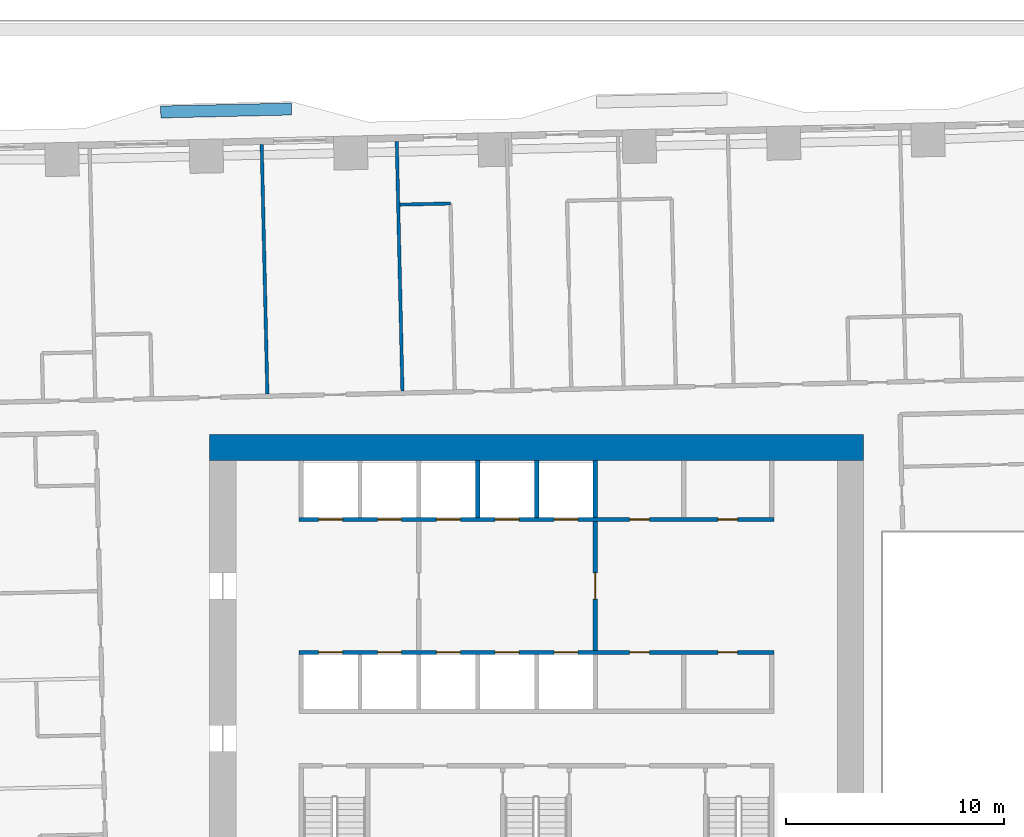
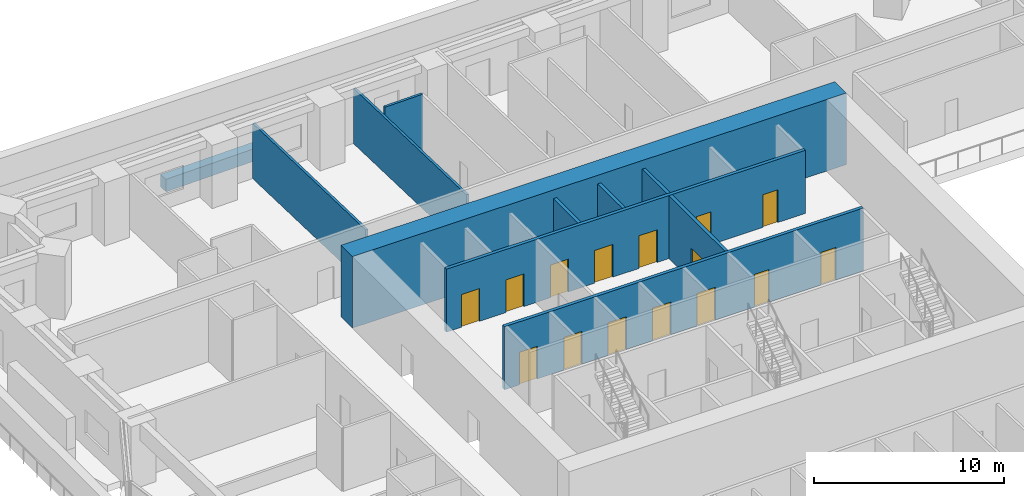
# One storey, part 14 of 21: 15 doors, 11 walls, 15 openings.
"""IFC4 building model written with IfcOpenShell, lengths in metres."""

from ifc_helpers import new_model, si_unit, direction, frame, frame_2d, origin, place, context, subcontext, project, spatial, rectangle, extrude, material, layer, layer_set, type_object, element, fill, save


model = new_model("IFC4")

# Units and contexts
model_context = context("Model", 3, precision=1e-05, world=origin(), true_north=direction((0.0, 1.0)))
body_context = subcontext(model_context, "Body", "Model", "MODEL_VIEW")
ifc_project = project(units=[si_unit("LENGTHUNIT", "METRE"), si_unit("AREAUNIT", "SQUARE_METRE"), si_unit("VOLUMEUNIT", "CUBIC_METRE"), si_unit("PLANEANGLEUNIT", "RADIAN"), si_unit("MASSUNIT", "GRAM", prefix="KILO")], contexts=[model_context])

# Site, building, storey
site_placement = place(None, origin())
site = spatial("IfcSite", under=ifc_project, at=site_placement, CompositionType="ELEMENT")
building_placement = place(site_placement, origin())
building = spatial("IfcBuilding", under=site, at=building_placement, Name="Mangrove Gate Tower", CompositionType="ELEMENT")
storey_placement = place(building_placement, frame((0.0, 0.0, 29.5)))
storey = spatial("IfcBuildingStorey", under=building, at=storey_placement, Name="L06", CompositionType="ELEMENT", Elevation=29.5)

# Wall, opening, door
ifc_material_1 = material(Name="Concrete C32/40", Category="concrete")
ifc_layer_1 = layer(ifc_material_1, 0.199951171875)
ifc_layer_set_1 = layer_set([ifc_layer_1], Name="Core lobby wall 200 C32/40")
wall_type_1 = type_object("IfcWallType", Name="Core lobby wall 200 C32/40", PredefinedType="STANDARD", material=ifc_layer_set_1)
wall_1_placement = place(storey_placement, frame((2.699951171875, 2.10009765625, 0.0), z_axis=(0.0, 0.0, 1.0), x_axis=(0.0, 1.0, 0.0)))
wall_1 = element("IfcWall", 1, at=wall_1_placement, inside=storey, type_object=wall_type_1, Name="WALL-L06-CORE-36", PredefinedType="STANDARD", context=body_context, shape_type="SweptSolid", body=[
    extrude(rectangle(XDim=5.89990234375, YDim=0.199951171875, at=frame_2d((2.949951171875, 0.0))), origin(), (0.0, 0.0, 1.0), 4.050048828125),
])
opening_1_placement = place(wall_1_placement, frame((2.35009765625, 0.0, 0.0)))
opening_1 = element("IfcOpeningElement", 2, at=opening_1_placement, cuts=wall_1, Name="Opening FL12", PredefinedType="OPENING", context=body_context, shape_type="SweptSolid", body=[
    extrude(rectangle(XDim=1.199951171875, YDim=2.10009765625, at=frame_2d((0.60009765625, 1.050048828125))), frame((0.0, 0.10986328125, 0.0), z_axis=(0.0, -1.0, 0.0), x_axis=(1.0, 0.0, 0.0)), (0.0, 0.0, 1.0), 0.219970703125),
])
ifc_material_2 = material(Name="Fire-rated steel door set", Category="steel")
door_type_1 = type_object("IfcDoorType", Name="Lobby door FD60 1200x2100", OperationType="SINGLE_SWING_LEFT", PredefinedType="DOOR", material=ifc_material_2)
door_1_placement = place(opening_1_placement, origin())
door_1 = element("IfcDoor", 3, at=door_1_placement, inside=storey, type_object=door_type_1, Name="Lobby door lift lobby partition", OperationType="SINGLE_SWING_LEFT", OverallHeight=2.10009765625, OverallWidth=1.199951171875, PredefinedType="DOOR", context=body_context, shape_type="SweptSolid", body=[
    extrude(rectangle(XDim=1.199951171875, YDim=2.10009765625, at=frame_2d((0.60009765625, 1.050048828125))), frame((0.0, 0.02490234375, 0.0), z_axis=(0.0, -1.0, 0.0), x_axis=(1.0, 0.0, 0.0)), (0.0, 0.0, 1.0), 0.050048828125),
])
fill(opening_1, door_1)

# Wall, openings, doors
ifc_material_3 = material(Name="Concrete C70/85", Category="concrete")
ifc_layer_2 = layer(ifc_material_3, 0.199951171875)
ifc_layer_set_2 = layer_set([ifc_layer_2], Name="Core shaft wall 200 C70/85")
wall_type_2 = type_object("IfcWallType", Name="Core shaft wall 200 C70/85", PredefinedType="SHEAR", material=ifc_layer_set_2)
wall_2_placement = place(storey_placement, frame((-10.89990234375, 2.0, 0.0), z_axis=(0.0, 0.0, 1.0), x_axis=(1.0, 0.0, 0.0)))
wall_2 = element("IfcWall", 4, at=wall_2_placement, inside=storey, type_object=wall_type_2, Name="WALL-L06-CORE-7", PredefinedType="SHEAR", context=body_context, shape_type="SweptSolid", body=[
    extrude(rectangle(XDim=21.7998046875, YDim=0.199951171875, at=frame_2d((10.89990234375, 0.0))), origin(), (0.0, 0.0, 1.0), 4.050048828125),
])
opening_2_placement = place(wall_2_placement, frame((0.89990234375, 0.0, 0.0)))
opening_2 = element("IfcOpeningElement", 5, at=opening_2_placement, cuts=wall_2, Name="Opening LD", PredefinedType="OPENING", context=body_context, shape_type="SweptSolid", body=[
    extrude(rectangle(XDim=1.10009765625, YDim=2.10009765625, at=frame_2d((0.550048828125, 1.050048828125))), frame((0.0, 0.10986328125, 0.0), z_axis=(0.0, -1.0, 0.0), x_axis=(1.0, 0.0, 0.0)), (0.0, 0.0, 1.0), 0.219970703125),
])
opening_3_placement = place(wall_2_placement, frame((3.60009765625, 0.0, 0.0)))
opening_3 = element("IfcOpeningElement", 6, at=opening_3_placement, cuts=wall_2, Name="Opening LD", PredefinedType="OPENING", context=body_context, shape_type="SweptSolid", body=[
    extrude(rectangle(XDim=1.10009765625, YDim=2.10009765625, at=frame_2d((0.550048828125, 1.050048828125))), frame((0.0, 0.10986328125, 0.0), z_axis=(0.0, -1.0, 0.0), x_axis=(1.0, 0.0, 0.0)), (0.0, 0.0, 1.0), 0.219970703125),
])
opening_4_placement = place(wall_2_placement, frame((6.300048828125, 0.0, 0.0)))
opening_4 = element("IfcOpeningElement", 7, at=opening_4_placement, cuts=wall_2, Name="Opening LD", PredefinedType="OPENING", context=body_context, shape_type="SweptSolid", body=[
    extrude(rectangle(XDim=1.10009765625, YDim=2.10009765625, at=frame_2d((0.550048828125, 1.050048828125))), frame((0.0, 0.10986328125, 0.0), z_axis=(0.0, -1.0, 0.0), x_axis=(1.0, 0.0, 0.0)), (0.0, 0.0, 1.0), 0.219970703125),
])
opening_5_placement = place(wall_2_placement, frame((9.0, 0.0, 0.0)))
opening_5 = element("IfcOpeningElement", 8, at=opening_5_placement, cuts=wall_2, Name="Opening LD", PredefinedType="OPENING", context=body_context, shape_type="SweptSolid", body=[
    extrude(rectangle(XDim=1.10009765625, YDim=2.10009765625, at=frame_2d((0.550048828125, 1.050048828125))), frame((0.0, 0.10986328125, 0.0), z_axis=(0.0, -1.0, 0.0), x_axis=(1.0, 0.0, 0.0)), (0.0, 0.0, 1.0), 0.219970703125),
])
opening_6_placement = place(wall_2_placement, frame((11.699951171875, 0.0, 0.0)))
opening_6 = element("IfcOpeningElement", 9, at=opening_6_placement, cuts=wall_2, Name="Opening LD", PredefinedType="OPENING", context=body_context, shape_type="SweptSolid", body=[
    extrude(rectangle(XDim=1.10009765625, YDim=2.10009765625, at=frame_2d((0.550048828125, 1.050048828125))), frame((0.0, 0.10986328125, 0.0), z_axis=(0.0, -1.0, 0.0), x_axis=(1.0, 0.0, 0.0)), (0.0, 0.0, 1.0), 0.219970703125),
])
opening_7_placement = place(wall_2_placement, frame((15.175048828125, 0.0, 0.0)))
opening_7 = element("IfcOpeningElement", 10, at=opening_7_placement, cuts=wall_2, Name="Opening RD", PredefinedType="OPENING", context=body_context, shape_type="SweptSolid", body=[
    extrude(rectangle(XDim=0.89990234375, YDim=2.10009765625, at=frame_2d((0.449951171875, 1.050048828125))), frame((0.0, 0.10986328125, 0.0), z_axis=(0.0, -1.0, 0.0), x_axis=(1.0, 0.0, 0.0)), (0.0, 0.0, 1.0), 0.219970703125),
])
opening_8_placement = place(wall_2_placement, frame((19.22509765625, 0.0, 0.0)))
opening_8 = element("IfcOpeningElement", 11, at=opening_8_placement, cuts=wall_2, Name="Opening RD", PredefinedType="OPENING", context=body_context, shape_type="SweptSolid", body=[
    extrude(rectangle(XDim=0.89990234375, YDim=2.10009765625, at=frame_2d((0.449951171875, 1.050048828125))), frame((0.0, 0.10986328125, 0.0), z_axis=(0.0, -1.0, 0.0), x_axis=(1.0, 0.0, 0.0)), (0.0, 0.0, 1.0), 0.219970703125),
])
ifc_material_4 = material(Name="Stainless steel 316", Category="steel")
door_type_2 = type_object("IfcDoorType", Name="Lift landing door 1100x2100", OperationType="SLIDING_TO_LEFT", PredefinedType="DOOR", material=ifc_material_4)
door_2_placement = place(opening_2_placement, origin())
door_2 = element("IfcDoor", 12, at=door_2_placement, inside=storey, type_object=door_type_2, Name="Landing door LD P01", OperationType="SLIDING_TO_LEFT", OverallHeight=2.10009765625, OverallWidth=1.10009765625, PredefinedType="DOOR", context=body_context, shape_type="SweptSolid", body=[
    extrude(rectangle(XDim=1.10009765625, YDim=2.10009765625, at=frame_2d((0.550048828125, 1.050048828125))), frame((0.0, 0.02490234375, 0.0), z_axis=(0.0, -1.0, 0.0), x_axis=(1.0, 0.0, 0.0)), (0.0, 0.0, 1.0), 0.050048828125),
])
fill(opening_2, door_2)
door_3_placement = place(opening_3_placement, origin())
door_3 = element("IfcDoor", 13, at=door_3_placement, inside=storey, type_object=door_type_2, Name="Landing door LD P02", OperationType="SLIDING_TO_LEFT", OverallHeight=2.10009765625, OverallWidth=1.10009765625, PredefinedType="DOOR", context=body_context, shape_type="SweptSolid", body=[
    extrude(rectangle(XDim=1.10009765625, YDim=2.10009765625, at=frame_2d((0.550048828125, 1.050048828125))), frame((0.0, 0.02490234375, 0.0), z_axis=(0.0, -1.0, 0.0), x_axis=(1.0, 0.0, 0.0)), (0.0, 0.0, 1.0), 0.050048828125),
])
fill(opening_3, door_3)
door_4_placement = place(opening_4_placement, origin())
door_4 = element("IfcDoor", 14, at=door_4_placement, inside=storey, type_object=door_type_2, Name="Landing door LD P03", OperationType="SLIDING_TO_LEFT", OverallHeight=2.10009765625, OverallWidth=1.10009765625, PredefinedType="DOOR", context=body_context, shape_type="SweptSolid", body=[
    extrude(rectangle(XDim=1.10009765625, YDim=2.10009765625, at=frame_2d((0.550048828125, 1.050048828125))), frame((0.0, 0.02490234375, 0.0), z_axis=(0.0, -1.0, 0.0), x_axis=(1.0, 0.0, 0.0)), (0.0, 0.0, 1.0), 0.050048828125),
])
fill(opening_4, door_4)
door_5_placement = place(opening_5_placement, origin())
door_5 = element("IfcDoor", 15, at=door_5_placement, inside=storey, type_object=door_type_2, Name="Landing door LD P04", OperationType="SLIDING_TO_LEFT", OverallHeight=2.10009765625, OverallWidth=1.10009765625, PredefinedType="DOOR", context=body_context, shape_type="SweptSolid", body=[
    extrude(rectangle(XDim=1.10009765625, YDim=2.10009765625, at=frame_2d((0.550048828125, 1.050048828125))), frame((0.0, 0.02490234375, 0.0), z_axis=(0.0, -1.0, 0.0), x_axis=(1.0, 0.0, 0.0)), (0.0, 0.0, 1.0), 0.050048828125),
])
fill(opening_5, door_5)
door_6_placement = place(opening_6_placement, origin())
door_6 = element("IfcDoor", 16, at=door_6_placement, inside=storey, type_object=door_type_2, Name="Landing door LD P05", OperationType="SLIDING_TO_LEFT", OverallHeight=2.10009765625, OverallWidth=1.10009765625, PredefinedType="DOOR", context=body_context, shape_type="SweptSolid", body=[
    extrude(rectangle(XDim=1.10009765625, YDim=2.10009765625, at=frame_2d((0.550048828125, 1.050048828125))), frame((0.0, 0.02490234375, 0.0), z_axis=(0.0, -1.0, 0.0), x_axis=(1.0, 0.0, 0.0)), (0.0, 0.0, 1.0), 0.050048828125),
])
fill(opening_6, door_6)
ifc_material_5 = material(Name="Fire-rated steel door set", Category="steel")
door_type_3 = type_object("IfcDoorType", Name="Riser door FD30S 900x2100", OperationType="SINGLE_SWING_LEFT", PredefinedType="DOOR", material=ifc_material_5)
door_7_placement = place(opening_7_placement, origin())
door_7 = element("IfcDoor", 17, at=door_7_placement, inside=storey, type_object=door_type_3, Name="Riser door Switch room", OperationType="SINGLE_SWING_LEFT", OverallHeight=2.10009765625, OverallWidth=0.89990234375, PredefinedType="DOOR", context=body_context, shape_type="SweptSolid", body=[
    extrude(rectangle(XDim=0.89990234375, YDim=2.10009765625, at=frame_2d((0.449951171875, 1.050048828125))), frame((0.0, 0.02490234375, 0.0), z_axis=(0.0, -1.0, 0.0), x_axis=(1.0, 0.0, 0.0)), (0.0, 0.0, 1.0), 0.050048828125),
])
fill(opening_7, door_7)
door_8_placement = place(opening_8_placement, origin())
door_8 = element("IfcDoor", 18, at=door_8_placement, inside=storey, type_object=door_type_3, Name="Riser door Comms room", OperationType="SINGLE_SWING_LEFT", OverallHeight=2.10009765625, OverallWidth=0.89990234375, PredefinedType="DOOR", context=body_context, shape_type="SweptSolid", body=[
    extrude(rectangle(XDim=0.89990234375, YDim=2.10009765625, at=frame_2d((0.449951171875, 1.050048828125))), frame((0.0, 0.02490234375, 0.0), z_axis=(0.0, -1.0, 0.0), x_axis=(1.0, 0.0, 0.0)), (0.0, 0.0, 1.0), 0.050048828125),
])
fill(opening_8, door_8)

wall_3_placement = place(storey_placement, frame((-10.89990234375, 8.10009765625, 0.0), z_axis=(0.0, 0.0, 1.0), x_axis=(1.0, 0.0, 0.0)))
wall_3 = element("IfcWall", 19, at=wall_3_placement, inside=storey, type_object=wall_type_2, Name="WALL-L06-CORE-8", PredefinedType="SHEAR", context=body_context, shape_type="SweptSolid", body=[
    extrude(rectangle(XDim=21.7998046875, YDim=0.199951171875, at=frame_2d((10.89990234375, 0.0))), origin(), (0.0, 0.0, 1.0), 4.050048828125),
])
opening_9_placement = place(wall_3_placement, frame((0.89990234375, 0.0, 0.0)))
opening_9 = element("IfcOpeningElement", 20, at=opening_9_placement, cuts=wall_3, Name="Opening LD", PredefinedType="OPENING", context=body_context, shape_type="SweptSolid", body=[
    extrude(rectangle(XDim=1.10009765625, YDim=2.10009765625, at=frame_2d((0.550048828125, 1.050048828125))), frame((0.0, 0.10986328125, 0.0), z_axis=(0.0, -1.0, 0.0), x_axis=(1.0, 0.0, 0.0)), (0.0, 0.0, 1.0), 0.219970703125),
])
opening_10_placement = place(wall_3_placement, frame((3.60009765625, 0.0, 0.0)))
opening_10 = element("IfcOpeningElement", 21, at=opening_10_placement, cuts=wall_3, Name="Opening LD", PredefinedType="OPENING", context=body_context, shape_type="SweptSolid", body=[
    extrude(rectangle(XDim=1.10009765625, YDim=2.10009765625, at=frame_2d((0.550048828125, 1.050048828125))), frame((0.0, 0.10986328125, 0.0), z_axis=(0.0, -1.0, 0.0), x_axis=(1.0, 0.0, 0.0)), (0.0, 0.0, 1.0), 0.219970703125),
])
opening_11_placement = place(wall_3_placement, frame((6.300048828125, 0.0, 0.0)))
opening_11 = element("IfcOpeningElement", 22, at=opening_11_placement, cuts=wall_3, Name="Opening LD", PredefinedType="OPENING", context=body_context, shape_type="SweptSolid", body=[
    extrude(rectangle(XDim=1.10009765625, YDim=2.10009765625, at=frame_2d((0.550048828125, 1.050048828125))), frame((0.0, 0.10986328125, 0.0), z_axis=(0.0, -1.0, 0.0), x_axis=(1.0, 0.0, 0.0)), (0.0, 0.0, 1.0), 0.219970703125),
])
opening_12_placement = place(wall_3_placement, frame((9.0, 0.0, 0.0)))
opening_12 = element("IfcOpeningElement", 23, at=opening_12_placement, cuts=wall_3, Name="Opening LD", PredefinedType="OPENING", context=body_context, shape_type="SweptSolid", body=[
    extrude(rectangle(XDim=1.10009765625, YDim=2.10009765625, at=frame_2d((0.550048828125, 1.050048828125))), frame((0.0, 0.10986328125, 0.0), z_axis=(0.0, -1.0, 0.0), x_axis=(1.0, 0.0, 0.0)), (0.0, 0.0, 1.0), 0.219970703125),
])
opening_13_placement = place(wall_3_placement, frame((11.699951171875, 0.0, 0.0)))
opening_13 = element("IfcOpeningElement", 24, at=opening_13_placement, cuts=wall_3, Name="Opening LD", PredefinedType="OPENING", context=body_context, shape_type="SweptSolid", body=[
    extrude(rectangle(XDim=1.10009765625, YDim=2.10009765625, at=frame_2d((0.550048828125, 1.050048828125))), frame((0.0, 0.10986328125, 0.0), z_axis=(0.0, -1.0, 0.0), x_axis=(1.0, 0.0, 0.0)), (0.0, 0.0, 1.0), 0.219970703125),
])
opening_14_placement = place(wall_3_placement, frame((15.175048828125, 0.0, 0.0)))
opening_14 = element("IfcOpeningElement", 25, at=opening_14_placement, cuts=wall_3, Name="Opening KD", PredefinedType="OPENING", context=body_context, shape_type="SweptSolid", body=[
    extrude(rectangle(XDim=0.89990234375, YDim=2.10009765625, at=frame_2d((0.449951171875, 1.050048828125))), frame((0.0, 0.10986328125, 0.0), z_axis=(0.0, -1.0, 0.0), x_axis=(1.0, 0.0, 0.0)), (0.0, 0.0, 1.0), 0.219970703125),
])
opening_15_placement = place(wall_3_placement, frame((19.22509765625, 0.0, 0.0)))
opening_15 = element("IfcOpeningElement", 26, at=opening_15_placement, cuts=wall_3, Name="Opening KD", PredefinedType="OPENING", context=body_context, shape_type="SweptSolid", body=[
    extrude(rectangle(XDim=0.89990234375, YDim=2.10009765625, at=frame_2d((0.449951171875, 1.050048828125))), frame((0.0, 0.10986328125, 0.0), z_axis=(0.0, -1.0, 0.0), x_axis=(1.0, 0.0, 0.0)), (0.0, 0.0, 1.0), 0.219970703125),
])
ifc_material_6 = material(Name="Fire-rated steel door set", Category="steel")
door_type_4 = type_object("IfcDoorType", Name="Core room door FD30S 900x2100", OperationType="SINGLE_SWING_RIGHT", PredefinedType="DOOR", material=ifc_material_6)
door_9_placement = place(opening_14_placement, origin())
door_9 = element("IfcDoor", 27, at=door_9_placement, inside=storey, type_object=door_type_4, Name="Core room door Core WC", OperationType="SINGLE_SWING_RIGHT", OverallHeight=2.10009765625, OverallWidth=0.89990234375, PredefinedType="DOOR", context=body_context, shape_type="SweptSolid", body=[
    extrude(rectangle(XDim=0.89990234375, YDim=2.10009765625, at=frame_2d((0.449951171875, 1.050048828125))), frame((0.0, 0.02490234375, 0.0), z_axis=(0.0, -1.0, 0.0), x_axis=(1.0, 0.0, 0.0)), (0.0, 0.0, 1.0), 0.050048828125),
])
fill(opening_14, door_9)
door_10_placement = place(opening_15_placement, origin())
door_10 = element("IfcDoor", 28, at=door_10_placement, inside=storey, type_object=door_type_4, Name="Core room door Pantry store", OperationType="SINGLE_SWING_RIGHT", OverallHeight=2.10009765625, OverallWidth=0.89990234375, PredefinedType="DOOR", context=body_context, shape_type="SweptSolid", body=[
    extrude(rectangle(XDim=0.89990234375, YDim=2.10009765625, at=frame_2d((0.449951171875, 1.050048828125))), frame((0.0, 0.02490234375, 0.0), z_axis=(0.0, -1.0, 0.0), x_axis=(1.0, 0.0, 0.0)), (0.0, 0.0, 1.0), 0.050048828125),
])
fill(opening_15, door_10)
door_11_placement = place(opening_9_placement, origin())
door_11 = element("IfcDoor", 29, at=door_11_placement, inside=storey, type_object=door_type_2, Name="Landing door LD P06", OperationType="SLIDING_TO_LEFT", OverallHeight=2.10009765625, OverallWidth=1.10009765625, PredefinedType="DOOR", context=body_context, shape_type="SweptSolid", body=[
    extrude(rectangle(XDim=1.10009765625, YDim=2.10009765625, at=frame_2d((0.550048828125, 1.050048828125))), frame((0.0, 0.02490234375, 0.0), z_axis=(0.0, -1.0, 0.0), x_axis=(1.0, 0.0, 0.0)), (0.0, 0.0, 1.0), 0.050048828125),
])
fill(opening_9, door_11)
door_12_placement = place(opening_10_placement, origin())
door_12 = element("IfcDoor", 30, at=door_12_placement, inside=storey, type_object=door_type_2, Name="Landing door LD P07", OperationType="SLIDING_TO_LEFT", OverallHeight=2.10009765625, OverallWidth=1.10009765625, PredefinedType="DOOR", context=body_context, shape_type="SweptSolid", body=[
    extrude(rectangle(XDim=1.10009765625, YDim=2.10009765625, at=frame_2d((0.550048828125, 1.050048828125))), frame((0.0, 0.02490234375, 0.0), z_axis=(0.0, -1.0, 0.0), x_axis=(1.0, 0.0, 0.0)), (0.0, 0.0, 1.0), 0.050048828125),
])
fill(opening_10, door_12)
door_13_placement = place(opening_11_placement, origin())
door_13 = element("IfcDoor", 31, at=door_13_placement, inside=storey, type_object=door_type_2, Name="Landing door LD P08", OperationType="SLIDING_TO_LEFT", OverallHeight=2.10009765625, OverallWidth=1.10009765625, PredefinedType="DOOR", context=body_context, shape_type="SweptSolid", body=[
    extrude(rectangle(XDim=1.10009765625, YDim=2.10009765625, at=frame_2d((0.550048828125, 1.050048828125))), frame((0.0, 0.02490234375, 0.0), z_axis=(0.0, -1.0, 0.0), x_axis=(1.0, 0.0, 0.0)), (0.0, 0.0, 1.0), 0.050048828125),
])
fill(opening_11, door_13)
door_14_placement = place(opening_12_placement, origin())
door_14 = element("IfcDoor", 32, at=door_14_placement, inside=storey, type_object=door_type_2, Name="Landing door LD P09", OperationType="SLIDING_TO_LEFT", OverallHeight=2.10009765625, OverallWidth=1.10009765625, PredefinedType="DOOR", context=body_context, shape_type="SweptSolid", body=[
    extrude(rectangle(XDim=1.10009765625, YDim=2.10009765625, at=frame_2d((0.550048828125, 1.050048828125))), frame((0.0, 0.02490234375, 0.0), z_axis=(0.0, -1.0, 0.0), x_axis=(1.0, 0.0, 0.0)), (0.0, 0.0, 1.0), 0.050048828125),
])
fill(opening_12, door_14)
door_15_placement = place(opening_13_placement, origin())
door_15 = element("IfcDoor", 33, at=door_15_placement, inside=storey, type_object=door_type_2, Name="Landing door LD P10", OperationType="SLIDING_TO_LEFT", OverallHeight=2.10009765625, OverallWidth=1.10009765625, PredefinedType="DOOR", context=body_context, shape_type="SweptSolid", body=[
    extrude(rectangle(XDim=1.10009765625, YDim=2.10009765625, at=frame_2d((0.550048828125, 1.050048828125))), frame((0.0, 0.02490234375, 0.0), z_axis=(0.0, -1.0, 0.0), x_axis=(1.0, 0.0, 0.0)), (0.0, 0.0, 1.0), 0.050048828125),
])
fill(opening_13, door_15)

# Walls
for number, where, z_axis, x_axis, name in (
    (34, (-2.699951171875, 8.199951171875, 0.0), (0.0, 0.0, 1.0), (0.0, 1.0, 0.0), "WALL-L06-CORE-30"),
    (35, (0.0, 8.199951171875, 0.0), (0.0, 0.0, 1.0), (0.0, 1.0, 0.0), "WALL-L06-CORE-31"),
    (36, (2.699951171875, 8.199951171875, 0.0), (0.0, 0.0, 1.0), (0.0, 1.0, 0.0), "WALL-L06-CORE-32"),
):
    element("IfcWall", number, at=place(storey_placement, frame(where, z_axis=z_axis, x_axis=x_axis)), inside=storey, type_object=wall_type_2, Name=name, PredefinedType="SHEAR", context=body_context, shape_type="SweptSolid", body=[
        extrude(rectangle(XDim=2.60009765625, YDim=0.199951171875, at=frame_2d((1.300048828125, 0.0))), origin(), (0.0, 0.0, 1.0), 4.050048828125),
    ])
ifc_material_7 = material(Name="Concrete C70/85", Category="concrete")
ifc_layer_3 = layer(ifc_material_7, 1.199951171875)
ifc_layer_set_3 = layer_set([ifc_layer_3], Name="Core wall 1200 C70/85")
wall_type_3 = type_object("IfcWallType", Name="Core wall 1200 C70/85", PredefinedType="SHEAR", material=ifc_layer_set_3)
wall_4_placement = place(storey_placement, frame((-15.0, 11.39990234375, 0.0), z_axis=(0.0, 0.0, 1.0), x_axis=(1.0, 0.0, 0.0)))
element("IfcWall", 37, at=wall_4_placement, inside=storey, type_object=wall_type_3, Name="WALL-L06-CORE-2", PredefinedType="SHEAR", context=body_context, shape_type="SweptSolid", body=[
    extrude(rectangle(XDim=30.0, YDim=1.199951171875, at=frame_2d((15.0, 0.0))), origin(), (0.0, 0.0, 1.0), 4.60009765625),
])
ifc_material_8 = material(Name="Gypsum board on steel stud, EI 60", Category="steel")
ifc_layer_4 = layer(ifc_material_8, 0.14990234375)
ifc_layer_set_4 = layer_set([ifc_layer_4], Name="Party wall 150 EI 60")
wall_type_4 = type_object("IfcWallType", Name="Party wall 150 EI 60", PredefinedType="PARTITIONING", material=ifc_layer_set_4)
wall_5_placement = place(storey_placement, frame((-12.35498046875, 13.860107421875, 0.0), z_axis=(0.0, 0.0, 1.0), x_axis=(-0.022623564427, 0.999744054412, 0.0)))
element("IfcWall", 38, at=wall_5_placement, inside=storey, type_object=wall_type_4, Name="WALL-L06-052", PredefinedType="PARTITIONING", context=body_context, shape_type="SweptSolid", body=[
    extrude(rectangle(XDim=11.44970703125, YDim=0.14990234375, at=frame_2d((5.724853515625, 0.0))), origin(), (0.0, 0.0, 1.0), 3.550048828125),
])
wall_6_placement = place(storey_placement, frame((-6.156005859375, 14.0009765625, 0.0), z_axis=(0.0, 0.0, 1.0), x_axis=(-0.022708327922, 0.999742132674, 0.0)))
element("IfcWall", 39, at=wall_6_placement, inside=storey, type_object=wall_type_4, Name="WALL-L06-053", PredefinedType="PARTITIONING", context=body_context, shape_type="SweptSolid", body=[
    extrude(rectangle(XDim=11.449951171875, YDim=0.14990234375, at=frame_2d((5.72509765625, 0.0))), origin(), (0.0, 0.0, 1.0), 3.550048828125),
])
wall_7_placement = place(storey_placement, frame((-6.27490234375, 22.550048828125, 0.0), z_axis=(0.0, 0.0, 1.0), x_axis=(0.999740260747, 0.02279059109, 0.0)))
element("IfcWall", 40, at=wall_7_placement, inside=storey, type_object=wall_type_4, Name="WALL-L06-066", PredefinedType="PARTITIONING", context=body_context, shape_type="SweptSolid", body=[
    extrude(rectangle(XDim=2.324462890625, YDim=0.14990234375, at=frame_2d((1.162109375, 0.0))), origin(), (0.0, 0.0, 1.0), 4.050048828125),
])
ifc_material_9 = material(Name="Concrete C32/40", Category="concrete")
ifc_layer_5 = layer(ifc_material_9, 0.199951171875, Name="Planter trough wall")
ifc_material_10 = material(Name="Bituminous waterproofing membrane")
ifc_layer_6 = layer(ifc_material_10, 0.0048828125, Name="Waterproofing")
ifc_material_11 = material(Name="Drainage board and gravel")
ifc_layer_7 = layer(ifc_material_11, 0.044921875, Name="Drainage layer")
ifc_material_12 = material(Name="Planting soil")
ifc_layer_8 = layer(ifc_material_12, 0.300048828125, Name="Growing medium")
ifc_layer_set_5 = layer_set([ifc_layer_5, ifc_layer_6, ifc_layer_7, ifc_layer_8], Name="Planter wall 550 C32/40")
wall_type_5 = type_object("IfcWallType", Name="Planter wall 550 C32/40", PredefinedType="USERDEFINED", material=ifc_layer_set_5)
wall_8_placement = place(storey_placement, frame((-17.2490234375, 26.802001953125, 0.0), z_axis=(0.0, 0.0, 1.0), x_axis=(0.999743094499, 0.022665943652, 0.0)))
element("IfcWall", 41, at=wall_8_placement, inside=storey, type_object=wall_type_5, Name="PLANTER L06 N1.1", ObjectType="PLANTER", PredefinedType="USERDEFINED", context=body_context, shape_type="SweptSolid", body=[
    extrude(rectangle(XDim=5.99951171875, YDim=0.550048828125, at=frame_2d((2.999755859375, 0.0))), origin(), (0.0, 0.0, 1.0), 0.800048828125),
])

save(model, "model.ifc")
